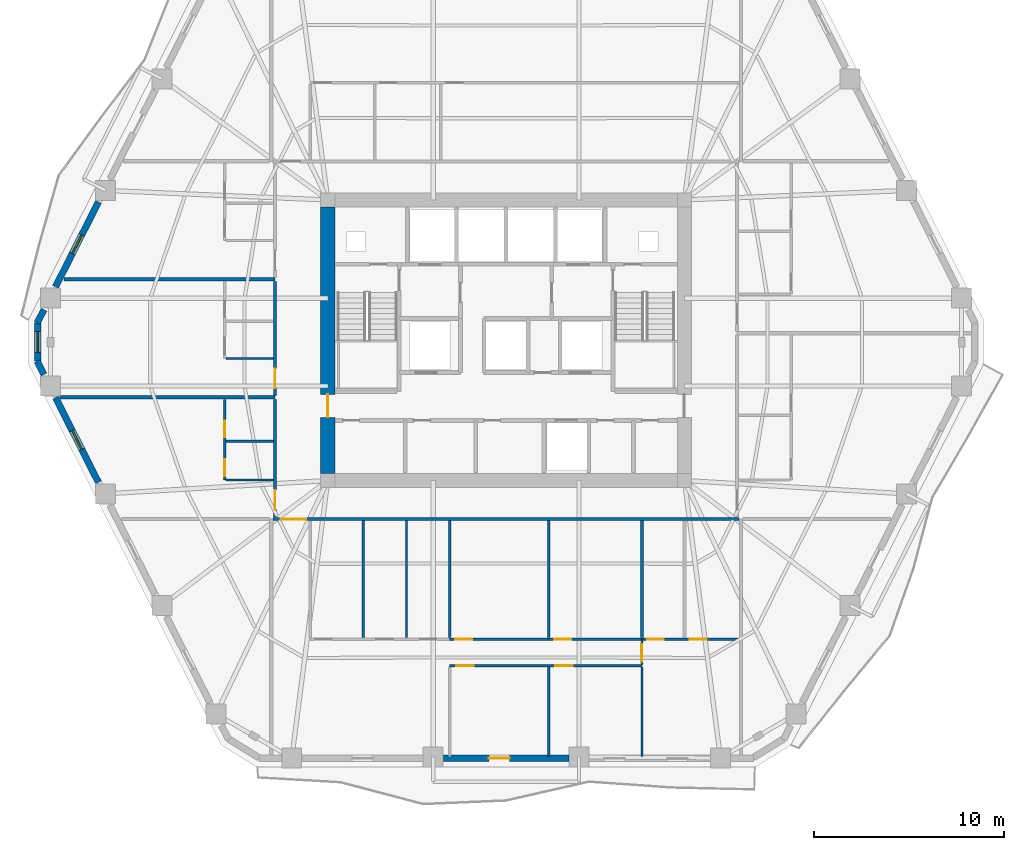
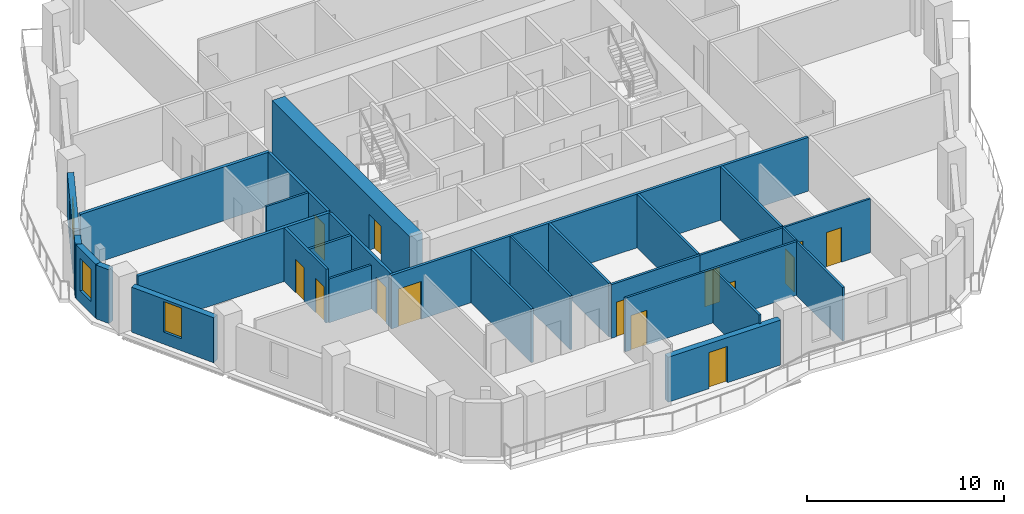
# One storey, part 4 of 10: 27 walls, 14 doors, 3 windows, 17 openings.
"""IFC4 building model written with IfcOpenShell, lengths in metres."""

import ifcopenshell
import ifcopenshell.guid

model = None  # the IFC model being written
_history = None  # IfcOwnerHistory: only IFC2X3 demands one
_inside = {}  # id of a spatial element -> (the spatial element, [elements in it])
_under = {}  # id of a project, library or spatial element -> (it, [spatial elements below it])
_declared = {}  # id of a project -> (the project, [libraries it declares])
_typed = {}  # id of a type object -> (the type object, [elements of that type])
_made_of = {}  # id of a material, layer set ... -> (it, [elements and type objects made of it])


def new_model(schema):
    """Start an empty IFC model of exactly this schema.

    Asked for "IFC4X3", IfcOpenShell would pick the latest addendum, in which some entities
    have other attributes; the version numbers below select the first issue.
    IFC2X3 requires an IfcOwnerHistory on every rooted entity: one is made here for all.
    """
    global model, _history
    if schema == "IFC4X3":
        model = ifcopenshell.file(schema_version=(4, 3, 0, 0))
    else:
        model = ifcopenshell.file(schema=schema)
    _inside.clear()
    _under.clear()
    _declared.clear()
    _typed.clear()
    _made_of.clear()
    _history = None
    if model.schema == "IFC2X3":
        org = make("IfcOrganization", Name="unknown")
        user = make(
            "IfcPersonAndOrganization",
            ThePerson=make("IfcPerson", FamilyName="unknown"),
            TheOrganization=org,
        )
        app = make(
            "IfcApplication",
            ApplicationDeveloper=org,
            Version="unknown",
            ApplicationFullName="unknown",
            ApplicationIdentifier="unknown",
        )
        _history = make(
            "IfcOwnerHistory",
            OwningUser=user,
            OwningApplication=app,
            ChangeAction="ADDED",
            CreationDate=0,
        )
    return model


def make(cls, **values):
    """One entity of the class cls with the attributes given. An attribute that is None is left unset."""
    return model.create_entity(
        cls, **{name: value for name, value in values.items() if value is not None}
    )


def rooted(cls, **values):
    """An entity with a GlobalId (a new one), such as an element, a storey or a relation."""
    return make(cls, GlobalId=ifcopenshell.guid.new(), OwnerHistory=_history, **values)


def si_unit(unit_type, name, prefix=None):
    """IfcSIUnit, for example si_unit("LENGTHUNIT", "METRE", prefix="MILLI")."""
    return make("IfcSIUnit", UnitType=unit_type, Prefix=prefix, Name=name)


def assignment(units):
    """IfcUnitAssignment: the units of a project."""
    return None if units is None else make("IfcUnitAssignment", Units=units)


def point(xyz):
    """IfcCartesianPoint."""
    return None if xyz is None else make("IfcCartesianPoint", Coordinates=xyz)


def direction(xyz):
    """IfcDirection."""
    return None if xyz is None else make("IfcDirection", DirectionRatios=xyz)


def frame(location, z_axis=None, x_axis=None):
    """IfcAxis2Placement3D, a coordinate frame: its origin and axes. An axis left out is left unset."""
    return make(
        "IfcAxis2Placement3D",
        Location=point(location),
        Axis=direction(z_axis),
        RefDirection=direction(x_axis),
    )


def frame_2d(location, x_axis=None):
    """IfcAxis2Placement2D, a coordinate frame in the plane: its origin and x axis."""
    return make(
        "IfcAxis2Placement2D", Location=point(location), RefDirection=direction(x_axis)
    )


def origin():
    """The frame at (0, 0, 0) with its axes left unset."""
    return frame((0.0, 0.0, 0.0))


def place(relative_to, where):
    """IfcLocalPlacement: puts the frame where relative to a parent placement (None: the world)."""
    return make(
        "IfcLocalPlacement", PlacementRelTo=relative_to, RelativePlacement=where
    )


def context(
    kind, dimensions, precision=None, world=None, true_north=None, identifier=None
):
    """IfcGeometricRepresentationContext, for example the 3D "Model" context."""
    return make(
        "IfcGeometricRepresentationContext",
        ContextIdentifier=identifier,
        ContextType=kind,
        CoordinateSpaceDimension=dimensions,
        Precision=precision,
        WorldCoordinateSystem=world,
        TrueNorth=true_north,
    )


def subcontext(parent, identifier, kind, view, scale=None):
    """IfcGeometricRepresentationSubContext, for example "Body" below "Model"."""
    return make(
        "IfcGeometricRepresentationSubContext",
        ContextIdentifier=identifier,
        ContextType=kind,
        ParentContext=parent,
        TargetScale=scale,
        TargetView=view,
    )


def project(units=None, contexts=None):
    """IfcProject with its units and contexts."""
    return rooted(
        "IfcProject",
        Name="project",
        RepresentationContexts=contexts,
        UnitsInContext=assignment(units),
    )


def spatial(cls, under=None, at=None, **own):
    """A site, building, storey or space (cls), placed at a placement, below another one or the project."""
    s = rooted(cls, ObjectPlacement=at, **own)
    if under is not None:
        _under.setdefault(under.id(), (under, []))[1].append(s)
    return s


def profile(cls, at=None, kind="AREA", **sizes):
    """A parametric profile (cls). Its sizes go by their IFC names, for example OverallWidth=200.0."""
    return make(cls, ProfileType=kind, Position=at, **sizes)


def rectangle(**sizes):
    """IfcRectangleProfileDef."""
    return profile("IfcRectangleProfileDef", **sizes)


def extrude(swept, where, along, depth):
    """IfcExtrudedAreaSolid: the profile swept, set in the frame where, extruded along a direction by depth."""
    return make(
        "IfcExtrudedAreaSolid",
        SweptArea=swept,
        Position=where,
        ExtrudedDirection=direction(along),
        Depth=depth,
    )


def shape(context_of_items, identifier, shape_type, items):
    """IfcShapeRepresentation: the items that make up one representation, for example the "Body"."""
    return make(
        "IfcShapeRepresentation",
        ContextOfItems=context_of_items,
        RepresentationIdentifier=identifier,
        RepresentationType=shape_type,
        Items=items,
    )


def material(Name=None, Category=None):
    """IfcMaterial."""
    return make("IfcMaterial", Name=Name, Category=Category)


def layer(
    of_material, thickness, ventilated=None, Name=None, Category=None, Priority=None
):
    """IfcMaterialLayer: one layer of a wall or slab, of a material (None: an air gap)."""
    return make(
        "IfcMaterialLayer",
        Material=of_material,
        LayerThickness=thickness,
        IsVentilated=ventilated,
        Name=Name,
        Category=Category,
        Priority=Priority,
    )


def layer_set(layers, Name=None):
    """IfcMaterialLayerSet."""
    return make("IfcMaterialLayerSet", MaterialLayers=layers, LayerSetName=Name)


def made_of(thing, what):
    """Note that an element or type object is made of a material, layer set ...; save() writes the relation."""
    if what is not None:
        _made_of.setdefault(what.id(), (what, []))[1].append(thing)
    return thing


def type_object(cls, material=None, **own):
    """A type object (cls), such as IfcWallType, which elements share."""
    return made_of(rooted(cls, **own), material)


def element(
    cls,
    number,
    at=None,
    inside=None,
    cuts=None,
    type_object=None,
    material=None,
    context=None,
    identifier="Body",
    shape_type=None,
    held_by="IfcProductDefinitionShape",
    body=None,
    shapes=None,
    **own,
):
    """One element of the class cls, such as IfcWall. Its Tag is "e" and its number.

    at: its placement. inside: the storey or other place that contains it. cuts: it is an
    opening in that element (IfcRelVoidsElement). A single representation is given by context,
    identifier, shape_type and body (its items); several are given by shapes. held_by: the class
    of the entity that holds the representations. save() writes the other relations.
    """
    e = rooted(cls, Tag="e%d" % number, ObjectPlacement=at, **own)
    if body is not None:
        shapes = [shape(context, identifier, shape_type, body)]
    if shapes is not None:
        e.Representation = make(held_by, Representations=shapes)
    if inside is not None:
        _inside.setdefault(inside.id(), (inside, []))[1].append(e)
    if cuts is not None:
        rooted(
            "IfcRelVoidsElement", RelatingBuildingElement=cuts, RelatedOpeningElement=e
        )
    if type_object is not None:
        _typed.setdefault(type_object.id(), (type_object, []))[1].append(e)
    return made_of(e, material)


def fill(opening, filler):
    """IfcRelFillsElement: the door or window that sits in an opening."""
    return rooted(
        "IfcRelFillsElement",
        RelatingOpeningElement=opening,
        RelatedBuildingElement=filler,
    )


def aggregate(whole, parts):
    """IfcRelAggregates: a whole, such as a stair, and the parts it consists of."""
    return rooted("IfcRelAggregates", RelatingObject=whole, RelatedObjects=parts)


def save(model, path):
    """Write the relations noted so far, then the file.

    IfcRelAggregates (storeys below a building ...), IfcRelContainedInSpatialStructure (elements
    in a storey), IfcRelDefinesByType, IfcRelAssociatesMaterial and IfcRelDeclares: one each for
    every whole, place, type object, material and project.
    """
    for whole, parts in _under.values():
        aggregate(whole, parts)
    for where, things in _inside.values():
        rooted(
            "IfcRelContainedInSpatialStructure",
            RelatedElements=things,
            RelatingStructure=where,
        )
    for kind, things in _typed.values():
        rooted("IfcRelDefinesByType", RelatedObjects=things, RelatingType=kind)
    for what, things in _made_of.values():
        rooted("IfcRelAssociatesMaterial", RelatedObjects=things, RelatingMaterial=what)
    for by, libraries in _declared.values():
        rooted("IfcRelDeclares", RelatingContext=by, RelatedDefinitions=libraries)
    model.write(path)


model = new_model("IFC4")

# Units and contexts
model_context = context("Model", 3, precision=1e-05, world=origin(), true_north=direction((0.0, 1.0)))
body_context = subcontext(model_context, "Body", "Model", "MODEL_VIEW")
ifc_project = project(units=[si_unit("LENGTHUNIT", "METRE"), si_unit("AREAUNIT", "SQUARE_METRE"), si_unit("VOLUMEUNIT", "CUBIC_METRE"), si_unit("PLANEANGLEUNIT", "RADIAN"), si_unit("MASSUNIT", "GRAM", prefix="KILO")], contexts=[model_context])

# Site, building, storey
site_placement = place(None, origin())
site = spatial("IfcSite", under=ifc_project, at=site_placement, CompositionType="ELEMENT")
building_placement = place(site_placement, origin())
building = spatial("IfcBuilding", under=site, at=building_placement, Name="Cinnabar Lancet Tower", CompositionType="ELEMENT")
storey_placement = place(building_placement, frame((0.0, 0.0, 119.699951171875)))
storey = spatial("IfcBuildingStorey", under=building, at=storey_placement, Name="L31", CompositionType="ELEMENT", Elevation=119.699951171875)

# Wall, opening, door
ifc_material_1 = material(Name="Acoustic twin-stud gypsum partition", Category="gypsum")
ifc_layer_1 = layer(ifc_material_1, 0.159912109375)
ifc_layer_set_1 = layer_set([ifc_layer_1], Name="Acoustic twin-stud gypsum partition")
wall_type_1 = type_object("IfcWallType", Name="ARC-WL-CORR-160", PredefinedType="PARTITIONING", material=ifc_layer_set_1)
wall_1_placement = place(storey_placement, frame((20.14501953125, 16.5, 0.0), z_axis=(0.0, 0.0, 1.0), x_axis=(1.0, 0.0, 0.0)))
wall_1 = element("IfcWall", 1, at=wall_1_placement, inside=storey, type_object=wall_type_1, Name="L31 Unit S01 Corridor Wall", PredefinedType="PARTITIONING", context=body_context, shape_type="SweptSolid", body=[
    extrude(rectangle(XDim=24.510009765625, YDim=0.159912109375, at=frame_2d((12.2548828125, 0.0))), origin(), (0.0, 0.0, 1.0), 3.340087890625),
])
opening_1_placement = place(wall_1_placement, frame((0.405029296875, 0.0, 0.0)))
opening_1 = element("IfcOpeningElement", 2, at=opening_1_placement, cuts=wall_1, Name="Opening UD-02", PredefinedType="OPENING", context=body_context, shape_type="SweptSolid", body=[
    extrude(rectangle(XDim=1.35009765625, YDim=2.35009765625, at=frame_2d((0.675048828125, 1.175048828125))), frame((0.0, 0.08984375, 0.0), z_axis=(0.0, -1.0, 0.0), x_axis=(1.0, 0.0, 0.0)), (0.0, 0.0, 1.0), 0.179931640625),
])
ifc_material_2 = material(Name="Double-leaf solid timber penthouse entrance door", Category="wood")
door_type_1 = type_object("IfcDoorType", Name="ARC-DR-UNIT-PH", OperationType="NOTDEFINED", PredefinedType="DOOR", material=ifc_material_2)
door_1_placement = place(opening_1_placement, origin())
door_1 = element("IfcDoor", 3, at=door_1_placement, inside=storey, type_object=door_type_1, Name="DR-L31-S01-ENT", OperationType="SINGLE_SWING_LEFT", OverallHeight=2.35009765625, OverallWidth=1.35009765625, PredefinedType="DOOR", context=body_context, shape_type="SweptSolid", body=[
    extrude(rectangle(XDim=1.35009765625, YDim=2.35009765625, at=frame_2d((0.675048828125, 1.175048828125))), frame((0.0, 0.02490234375, 0.0), z_axis=(0.0, -1.0, 0.0), x_axis=(1.0, 0.0, 0.0)), (0.0, 0.0, 1.0), 0.050048828125),
])
fill(opening_1, door_1)

wall_2_placement = place(storey_placement, frame((20.25, 16.594970703125, 0.0), z_axis=(0.0, 0.0, 1.0), x_axis=(0.0, 1.0, 0.0)))
wall_2 = element("IfcWall", 4, at=wall_2_placement, inside=storey, type_object=wall_type_1, Name="UW-L31-W01-COR", PredefinedType="PARTITIONING", context=body_context, shape_type="SweptSolid", body=[
    extrude(rectangle(XDim=6.2021484375, YDim=0.159912109375, at=frame_2d((3.10107421875, 0.0))), origin(), (0.0, 0.0, 1.0), 3.340087890625),
])
opening_2_placement = place(wall_2_placement, frame((0.39990234375, 0.0, 0.0)))
opening_2 = element("IfcOpeningElement", 5, at=opening_2_placement, cuts=wall_2, Name="Opening UD-01", PredefinedType="OPENING", context=body_context, shape_type="SweptSolid", body=[
    extrude(rectangle(XDim=1.02001953125, YDim=2.25, at=frame_2d((0.510009765625, 1.125))), frame((0.0, 0.08984375, 0.0), z_axis=(0.0, -1.0, 0.0), x_axis=(1.0, 0.0, 0.0)), (0.0, 0.0, 1.0), 0.179931640625),
])
ifc_material_3 = material(Name="Solid timber fire-rated apartment entrance door", Category="wood")
door_type_2 = type_object("IfcDoorType", Name="ARC-DR-UNIT", OperationType="NOTDEFINED", PredefinedType="DOOR", material=ifc_material_3)
door_2_placement = place(opening_2_placement, origin())
door_2 = element("IfcDoor", 6, at=door_2_placement, inside=storey, type_object=door_type_2, Name="DR-L31-W01-ENT", OperationType="SINGLE_SWING_LEFT", OverallHeight=2.25, OverallWidth=1.02001953125, PredefinedType="DOOR", context=body_context, shape_type="SweptSolid", body=[
    extrude(rectangle(XDim=1.02001953125, YDim=2.25, at=frame_2d((0.510009765625, 1.125))), frame((0.0, 0.02490234375, 0.0), z_axis=(0.0, -1.0, 0.0), x_axis=(1.0, 0.0, 0.0)), (0.0, 0.0, 1.0), 0.050048828125),
])
fill(opening_2, door_2)

wall_3_placement = place(storey_placement, frame((20.25, 22.987060546875, 0.0), z_axis=(0.0, 0.0, 1.0), x_axis=(0.0, 1.0, 0.0)))
wall_3 = element("IfcWall", 7, at=wall_3_placement, inside=storey, type_object=wall_type_1, Name="UW-L31-W02-COR", PredefinedType="PARTITIONING", context=body_context, shape_type="SweptSolid", body=[
    extrude(rectangle(XDim=6.013916015625, YDim=0.159912109375, at=frame_2d((3.0068359375, 0.0))), origin(), (0.0, 0.0, 1.0), 3.340087890625),
])
opening_3_placement = place(wall_3_placement, frame((0.39990234375, 0.0, 0.0)))
opening_3 = element("IfcOpeningElement", 8, at=opening_3_placement, cuts=wall_3, Name="Opening UD-01", PredefinedType="OPENING", context=body_context, shape_type="SweptSolid", body=[
    extrude(rectangle(XDim=1.02001953125, YDim=2.25, at=frame_2d((0.510009765625, 1.125))), frame((0.0, 0.08984375, 0.0), z_axis=(0.0, -1.0, 0.0), x_axis=(1.0, 0.0, 0.0)), (0.0, 0.0, 1.0), 0.179931640625),
])
door_3_placement = place(opening_3_placement, origin())
door_3 = element("IfcDoor", 9, at=door_3_placement, inside=storey, type_object=door_type_2, Name="DR-L31-W02-ENT", OperationType="SINGLE_SWING_RIGHT", OverallHeight=2.25, OverallWidth=1.02001953125, PredefinedType="DOOR", context=body_context, shape_type="SweptSolid", body=[
    extrude(rectangle(XDim=1.02001953125, YDim=2.25, at=frame_2d((0.510009765625, 1.125))), frame((0.0, 0.02490234375, 0.0), z_axis=(0.0, -1.0, 0.0), x_axis=(1.0, 0.0, 0.0)), (0.0, 0.0, 1.0), 0.050048828125),
])
fill(opening_3, door_3)

# Walls
ifc_material_4 = material(Name="Fire-rated twin-frame acoustic drywall", Category="gypsum")
ifc_layer_2 = layer(ifc_material_4, 0.179931640625)
ifc_layer_set_2 = layer_set([ifc_layer_2], Name="Fire-rated twin-frame acoustic drywall")
wall_type_2 = type_object("IfcWallType", Name="ARC-WL-PARTY-180", PredefinedType="PARTITIONING", material=ifc_layer_set_2)
wall_4_placement = place(storey_placement, frame((8.950927734375, 22.89208984375, 0.0), z_axis=(0.0, 0.0, 1.0), x_axis=(1.0, 0.0, 0.0)))
element("IfcWall", 10, at=wall_4_placement, inside=storey, type_object=wall_type_2, Name="PW-L31-WPTY-1", PredefinedType="PARTITIONING", context=body_context, shape_type="SweptSolid", body=[
    extrude(rectangle(XDim=11.299072265625, YDim=0.179931640625, at=frame_2d((5.6494140625, 0.0))), origin(), (0.0, 0.0, 1.0), 3.340087890625),
])
wall_5_placement = place(storey_placement, frame((9.14697265625, 29.095947265625, 0.0), z_axis=(0.0, 0.0, 1.0), x_axis=(1.0, 0.0, 0.0)))
element("IfcWall", 11, at=wall_5_placement, inside=storey, type_object=wall_type_2, Name="PW-L31-WPTY-2", PredefinedType="PARTITIONING", context=body_context, shape_type="SweptSolid", body=[
    extrude(rectangle(XDim=11.10302734375, YDim=0.179931640625, at=frame_2d((5.551513671875, 0.0))), origin(), (0.0, 0.0, 1.0), 3.340087890625),
])

# Wall, openings, doors
ifc_material_5 = material(Name="Gypsum plasterboard stud partition", Category="gypsum")
ifc_layer_3 = layer(ifc_material_5, 0.125)
ifc_layer_set_3 = layer_set([ifc_layer_3], Name="Gypsum plasterboard stud partition")
wall_type_3 = type_object("IfcWallType", Name="ARC-WL-UNIT-125", PredefinedType="PARTITIONING", material=ifc_layer_set_3)
wall_6_placement = place(storey_placement, frame((34.64306640625, 10.178955078125, 0.0), z_axis=(0.0, 0.0, 1.0), x_axis=(1.0, 0.0, 0.0)))
wall_6 = element("IfcWall", 12, at=wall_6_placement, inside=storey, type_object=wall_type_3, Name="UW-L31-S01-SP2", PredefinedType="PARTITIONING", context=body_context, shape_type="SweptSolid", body=[
    extrude(rectangle(XDim=10.011962890625, YDim=0.125, at=frame_2d((5.005859375, 0.0))), origin(), (0.0, 0.0, 1.0), 3.340087890625),
])
opening_4_placement = place(wall_6_placement, frame((5.179931640625, 0.0, 0.0)))
opening_4 = element("IfcOpeningElement", 13, at=opening_4_placement, cuts=wall_6, Name="Opening BD-01", PredefinedType="OPENING", context=body_context, shape_type="SweptSolid", body=[
    extrude(rectangle(XDim=0.860107421875, YDim=2.10009765625, at=frame_2d((0.43017578125, 1.050048828125))), frame((0.0, 0.072509765625, 0.0), z_axis=(0.0, -1.0, 0.0), x_axis=(1.0, 0.0, 0.0)), (0.0, 0.0, 1.0), 0.14501953125),
])
opening_5_placement = place(wall_6_placement, frame((7.419921875, 0.0, 0.0)))
opening_5 = element("IfcOpeningElement", 14, at=opening_5_placement, cuts=wall_6, Name="Opening RD-02", PredefinedType="OPENING", context=body_context, shape_type="SweptSolid", body=[
    extrude(rectangle(XDim=0.8798828125, YDim=2.14990234375, at=frame_2d((0.43994140625, 1.074951171875))), frame((0.0, 0.072509765625, 0.0), z_axis=(0.0, -1.0, 0.0), x_axis=(1.0, 0.0, 0.0)), (0.0, 0.0, 1.0), 0.14501953125),
])
opening_6_placement = place(wall_6_placement, frame((0.300048828125, 0.0, 0.0)))
opening_6 = element("IfcOpeningElement", 15, at=opening_6_placement, cuts=wall_6, Name="Opening RD-02", PredefinedType="OPENING", context=body_context, shape_type="SweptSolid", body=[
    extrude(rectangle(XDim=0.8798828125, YDim=2.14990234375, at=frame_2d((0.43994140625, 1.074951171875))), frame((0.0, 0.072509765625, 0.0), z_axis=(0.0, -1.0, 0.0), x_axis=(1.0, 0.0, 0.0)), (0.0, 0.0, 1.0), 0.14501953125),
])
ifc_material_6 = material(Name="Moisture-resistant timber bathroom door", Category="wood")
door_type_3 = type_object("IfcDoorType", Name="ARC-DR-BATH", OperationType="NOTDEFINED", PredefinedType="DOOR", material=ifc_material_6)
door_4_placement = place(opening_4_placement, origin())
door_4 = element("IfcDoor", 16, at=door_4_placement, inside=storey, type_object=door_type_3, Name="DR-L31-S01-ENS", OperationType="SINGLE_SWING_RIGHT", OverallHeight=2.10009765625, OverallWidth=0.860107421875, PredefinedType="DOOR", context=body_context, shape_type="SweptSolid", body=[
    extrude(rectangle(XDim=0.860107421875, YDim=2.10009765625, at=frame_2d((0.43017578125, 1.050048828125))), frame((0.0, 0.02490234375, 0.0), z_axis=(0.0, -1.0, 0.0), x_axis=(1.0, 0.0, 0.0)), (0.0, 0.0, 1.0), 0.050048828125),
])
fill(opening_4, door_4)
ifc_material_7 = material(Name="Engineered timber study door", Category="wood")
door_type_4 = type_object("IfcDoorType", Name="ARC-DR-STUDY", OperationType="NOTDEFINED", PredefinedType="DOOR", material=ifc_material_7)
door_5_placement = place(opening_5_placement, origin())
door_5 = element("IfcDoor", 17, at=door_5_placement, inside=storey, type_object=door_type_4, Name="DR-L31-S01-ENS-WDR", OperationType="SINGLE_SWING_LEFT", OverallHeight=2.14990234375, OverallWidth=0.8798828125, PredefinedType="DOOR", context=body_context, shape_type="SweptSolid", body=[
    extrude(rectangle(XDim=0.8798828125, YDim=2.14990234375, at=frame_2d((0.43994140625, 1.074951171875))), frame((0.0, 0.02490234375, 0.0), z_axis=(0.0, -1.0, 0.0), x_axis=(1.0, 0.0, 0.0)), (0.0, 0.0, 1.0), 0.050048828125),
])
fill(opening_5, door_5)
door_6_placement = place(opening_6_placement, origin())
door_6 = element("IfcDoor", 18, at=door_6_placement, inside=storey, type_object=door_type_4, Name="DR-L31-S01-DRS", OperationType="SINGLE_SWING_LEFT", OverallHeight=2.14990234375, OverallWidth=0.8798828125, PredefinedType="DOOR", context=body_context, shape_type="SweptSolid", body=[
    extrude(rectangle(XDim=0.8798828125, YDim=2.14990234375, at=frame_2d((0.43994140625, 1.074951171875))), frame((0.0, 0.02490234375, 0.0), z_axis=(0.0, -1.0, 0.0), x_axis=(1.0, 0.0, 0.0)), (0.0, 0.0, 1.0), 0.050048828125),
])
fill(opening_6, door_6)

# Wall
wall_7_placement = place(storey_placement, frame((27.162109375, 10.283935546875, 0.0), z_axis=(0.0, 0.0, 1.0), x_axis=(0.0, 1.0, 0.0)))
element("IfcWall", 19, at=wall_7_placement, inside=storey, type_object=wall_type_3, Name="UW-L31-S01-STD", PredefinedType="PARTITIONING", context=body_context, shape_type="SweptSolid", body=[
    extrude(rectangle(XDim=6.131103515625, YDim=0.125, at=frame_2d((3.0654296875, 0.0))), origin(), (0.0, 0.0, 1.0), 3.340087890625),
])

# Wall, openings, doors
wall_8_placement = place(storey_placement, frame((29.43603515625, 8.779052734375, 0.0), z_axis=(0.0, 0.0, 1.0), x_axis=(1.0, 0.0, 0.0)))
wall_8 = element("IfcWall", 20, at=wall_8_placement, inside=storey, type_object=wall_type_3, Name="UW-L31-S01-HLN", PredefinedType="PARTITIONING", context=body_context, shape_type="SweptSolid", body=[
    extrude(rectangle(XDim=10.10693359375, YDim=0.125, at=frame_2d((5.053466796875, 0.0))), origin(), (0.0, 0.0, 1.0), 3.340087890625),
])
opening_7_placement = place(wall_8_placement, frame((0.35009765625, 0.0, 0.0)))
opening_7 = element("IfcOpeningElement", 21, at=opening_7_placement, cuts=wall_8, Name="Opening RD-01", PredefinedType="OPENING", context=body_context, shape_type="SweptSolid", body=[
    extrude(rectangle(XDim=0.919921875, YDim=2.14990234375, at=frame_2d((0.4599609375, 1.074951171875))), frame((0.0, 0.072509765625, 0.0), z_axis=(0.0, -1.0, 0.0), x_axis=(1.0, 0.0, 0.0)), (0.0, 0.0, 1.0), 0.14501953125),
])
opening_8_placement = place(wall_8_placement, frame((5.556884765625, 0.0, 0.0)))
opening_8 = element("IfcOpeningElement", 22, at=opening_8_placement, cuts=wall_8, Name="Opening RD-01", PredefinedType="OPENING", context=body_context, shape_type="SweptSolid", body=[
    extrude(rectangle(XDim=0.919921875, YDim=2.14990234375, at=frame_2d((0.4599609375, 1.074951171875))), frame((0.0, 0.072509765625, 0.0), z_axis=(0.0, -1.0, 0.0), x_axis=(1.0, 0.0, 0.0)), (0.0, 0.0, 1.0), 0.14501953125),
])
ifc_material_8 = material(Name="Engineered timber bedroom door", Category="wood")
door_type_5 = type_object("IfcDoorType", Name="ARC-DR-ROOM", OperationType="NOTDEFINED", PredefinedType="DOOR", material=ifc_material_8)
door_7_placement = place(opening_7_placement, origin())
door_7 = element("IfcDoor", 23, at=door_7_placement, inside=storey, type_object=door_type_5, Name="DR-L31-S01-BD2", OperationType="SINGLE_SWING_RIGHT", OverallHeight=2.14990234375, OverallWidth=0.919921875, PredefinedType="DOOR", context=body_context, shape_type="SweptSolid", body=[
    extrude(rectangle(XDim=0.919921875, YDim=2.14990234375, at=frame_2d((0.4599609375, 1.074951171875))), frame((0.0, 0.02490234375, 0.0), z_axis=(0.0, -1.0, 0.0), x_axis=(1.0, 0.0, 0.0)), (0.0, 0.0, 1.0), 0.050048828125),
])
fill(opening_7, door_7)
door_8_placement = place(opening_8_placement, origin())
door_8 = element("IfcDoor", 24, at=door_8_placement, inside=storey, type_object=door_type_5, Name="DR-L31-S01-BD3", OperationType="SINGLE_SWING_LEFT", OverallHeight=2.14990234375, OverallWidth=0.919921875, PredefinedType="DOOR", context=body_context, shape_type="SweptSolid", body=[
    extrude(rectangle(XDim=0.919921875, YDim=2.14990234375, at=frame_2d((0.4599609375, 1.074951171875))), frame((0.0, 0.02490234375, 0.0), z_axis=(0.0, -1.0, 0.0), x_axis=(1.0, 0.0, 0.0)), (0.0, 0.0, 1.0), 0.050048828125),
])
fill(opening_8, door_8)

# Wall, opening, door
wall_9_placement = place(storey_placement, frame((39.54296875, 8.84912109375, 0.0), z_axis=(0.0, 0.0, 1.0), x_axis=(0.0, 1.0, 0.0)))
wall_9 = element("IfcWall", 25, at=wall_9_placement, inside=storey, type_object=wall_type_3, Name="UW-L31-S01-MBE", PredefinedType="PARTITIONING", context=body_context, shape_type="SweptSolid", body=[
    extrude(rectangle(XDim=1.329833984375, YDim=0.125, at=frame_2d((0.6650390625, 0.0))), origin(), (0.0, 0.0, 1.0), 3.340087890625),
])
opening_9_placement = place(wall_9_placement, frame((0.159912109375, 0.0, 0.0)))
opening_9 = element("IfcOpeningElement", 26, at=opening_9_placement, cuts=wall_9, Name="Opening RD-01", PredefinedType="OPENING", context=body_context, shape_type="SweptSolid", body=[
    extrude(rectangle(XDim=0.919921875, YDim=2.14990234375, at=frame_2d((0.4599609375, 1.074951171875))), frame((0.0, 0.072509765625, 0.0), z_axis=(0.0, -1.0, 0.0), x_axis=(1.0, 0.0, 0.0)), (0.0, 0.0, 1.0), 0.14501953125),
])
door_9_placement = place(opening_9_placement, origin())
door_9 = element("IfcDoor", 27, at=door_9_placement, inside=storey, type_object=door_type_5, Name="DR-L31-S01-MBD", OperationType="SINGLE_SWING_RIGHT", OverallHeight=2.14990234375, OverallWidth=0.919921875, PredefinedType="DOOR", context=body_context, shape_type="SweptSolid", body=[
    extrude(rectangle(XDim=0.919921875, YDim=2.14990234375, at=frame_2d((0.4599609375, 1.074951171875))), frame((0.0, 0.02490234375, 0.0), z_axis=(0.0, -1.0, 0.0), x_axis=(1.0, 0.0, 0.0)), (0.0, 0.0, 1.0), 0.050048828125),
])
fill(opening_9, door_9)

# Walls
for number, where, z_axis, x_axis, name in (
    (28, (34.64306640625, 4.014892578125, 0.0), (0.0, 0.0, 1.0), (0.0, 1.0, 0.0), "UW-L31-S01-MB2W"),
    (29, (39.54296875, 4.014892578125, 0.0), (0.0, 0.0, 1.0), (0.0, 1.0, 0.0), "UW-L31-S01-B23W"),
):
    element("IfcWall", number, at=place(storey_placement, frame(where, z_axis=z_axis, x_axis=x_axis)), inside=storey, type_object=wall_type_3, Name=name, PredefinedType="PARTITIONING", context=body_context, shape_type="SweptSolid", body=[
        extrude(rectangle(XDim=4.69921875, YDim=0.125, at=frame_2d((2.349609375, 0.0))), origin(), (0.0, 0.0, 1.0), 3.340087890625),
    ])
wall_10_placement = place(storey_placement, frame((17.68505859375, 18.550048828125, 0.0), z_axis=(0.0, 0.0, 1.0), x_axis=(1.0, 0.0, 0.0)))
element("IfcWall", 30, at=wall_10_placement, inside=storey, type_object=wall_type_3, Name="UW-L31-W01-FOYN", PredefinedType="PARTITIONING", context=body_context, shape_type="SweptSolid", body=[
    extrude(rectangle(XDim=2.47998046875, YDim=0.125, at=frame_2d((1.239990234375, 0.0))), origin(), (0.0, 0.0, 1.0), 2.72216796875),
])
wall_11_placement = place(storey_placement, frame((17.68505859375, 24.94189453125, 0.0), z_axis=(0.0, 0.0, 1.0), x_axis=(1.0, 0.0, 0.0)))
element("IfcWall", 31, at=wall_11_placement, inside=storey, type_object=wall_type_3, Name="UW-L31-W02-FOYN", PredefinedType="PARTITIONING", context=body_context, shape_type="SweptSolid", body=[
    extrude(rectangle(XDim=2.47998046875, YDim=0.125, at=frame_2d((1.239990234375, 0.0))), origin(), (0.0, 0.0, 1.0), 3.340087890625),
])

# Wall, opening, door
ifc_material_9 = material(Name="Moisture-resistant cement-board plumbing wall", Category="masonry")
ifc_layer_4 = layer(ifc_material_9, 0.139892578125)
ifc_layer_set_4 = layer_set([ifc_layer_4], Name="Moisture-resistant cement-board plumbing wall")
wall_type_4 = type_object("IfcWallType", Name="ARC-WL-WET-140", PredefinedType="PLUMBINGWALL", material=ifc_layer_set_4)
wall_12_placement = place(storey_placement, frame((29.43603515625, 10.178955078125, 0.0), z_axis=(0.0, 0.0, 1.0), x_axis=(1.0, 0.0, 0.0)))
wall_12 = element("IfcWall", 32, at=wall_12_placement, inside=storey, type_object=wall_type_4, Name="UW-L31-S01-SPM", PredefinedType="PLUMBINGWALL", context=body_context, shape_type="SweptSolid", body=[
    extrude(rectangle(XDim=5.20703125, YDim=0.139892578125, at=frame_2d((2.603515625, 0.0))), origin(), (0.0, 0.0, 1.0), 3.340087890625),
])
opening_10_placement = place(wall_12_placement, frame((0.300048828125, 0.0, 0.0)))
opening_10 = element("IfcOpeningElement", 33, at=opening_10_placement, cuts=wall_12, Name="Opening RD-02", PredefinedType="OPENING", context=body_context, shape_type="SweptSolid", body=[
    extrude(rectangle(XDim=0.8798828125, YDim=2.14990234375, at=frame_2d((0.43994140625, 1.074951171875))), frame((0.0, 0.079833984375, 0.0), z_axis=(0.0, -1.0, 0.0), x_axis=(1.0, 0.0, 0.0)), (0.0, 0.0, 1.0), 0.159912109375),
])
door_10_placement = place(opening_10_placement, origin())
door_10 = element("IfcDoor", 34, at=door_10_placement, inside=storey, type_object=door_type_4, Name="DR-L31-S01-UTL", OperationType="SINGLE_SWING_LEFT", OverallHeight=2.14990234375, OverallWidth=0.8798828125, PredefinedType="DOOR", context=body_context, shape_type="SweptSolid", body=[
    extrude(rectangle(XDim=0.8798828125, YDim=2.14990234375, at=frame_2d((0.43994140625, 1.074951171875))), frame((0.0, 0.02490234375, 0.0), z_axis=(0.0, -1.0, 0.0), x_axis=(1.0, 0.0, 0.0)), (0.0, 0.0, 1.0), 0.050048828125),
])
fill(opening_10, door_10)

# Walls
for number, where, z_axis, x_axis, name in (
    (35, (24.887939453125, 10.283935546875, 0.0), (0.0, 0.0, 1.0), (0.0, 1.0, 0.0), "UW-L31-S01-KDV"),
    (36, (29.43603515625, 10.283935546875, 0.0), (0.0, 0.0, 1.0), (0.0, 1.0, 0.0), "UW-L31-S01-ENSW"),
    (37, (34.64306640625, 10.283935546875, 0.0), (0.0, 0.0, 1.0), (0.0, 1.0, 0.0), "UW-L31-S01-ENSE"),
    (38, (39.54296875, 10.283935546875, 0.0), (0.0, 0.0, 1.0), (0.0, 1.0, 0.0), "UW-L31-S01-UT3"),
):
    element("IfcWall", number, at=place(storey_placement, frame(where, z_axis=z_axis, x_axis=x_axis)), inside=storey, type_object=wall_type_4, Name=name, PredefinedType="PLUMBINGWALL", context=body_context, shape_type="SweptSolid", body=[
        extrude(rectangle(XDim=6.131103515625, YDim=0.139892578125, at=frame_2d((3.0654296875, 0.0))), origin(), (0.0, 0.0, 1.0), 3.340087890625),
    ])

# Wall, openings, doors
wall_13_placement = place(storey_placement, frame((17.60009765625, 18.550048828125, 0.0), z_axis=(0.0, 0.0, 1.0), x_axis=(0.0, 1.0, 0.0)))
wall_13 = element("IfcWall", 39, at=wall_13_placement, inside=storey, type_object=wall_type_4, Name="UW-L31-W01-SPL", PredefinedType="PLUMBINGWALL", context=body_context, shape_type="SweptSolid", body=[
    extrude(rectangle(XDim=4.2470703125, YDim=0.139892578125, at=frame_2d((2.12353515625, 0.0))), origin(), (0.0, 0.0, 1.0), 3.340087890625),
])
opening_11_placement = place(wall_13_placement, frame((2.259033203125, 0.0, 0.0)))
opening_11 = element("IfcOpeningElement", 40, at=opening_11_placement, cuts=wall_13, Name="Opening BD-01", PredefinedType="OPENING", context=body_context, shape_type="SweptSolid", body=[
    extrude(rectangle(XDim=0.860107421875, YDim=2.10009765625, at=frame_2d((0.43017578125, 1.050048828125))), frame((0.0, 0.079833984375, 0.0), z_axis=(0.0, -1.0, 0.0), x_axis=(1.0, 0.0, 0.0)), (0.0, 0.0, 1.0), 0.159912109375),
])
opening_12_placement = place(wall_13_placement, frame((0.199951171875, 0.0, 0.0)))
opening_12 = element("IfcOpeningElement", 41, at=opening_12_placement, cuts=wall_13, Name="Opening RD-02", PredefinedType="OPENING", context=body_context, shape_type="SweptSolid", body=[
    extrude(rectangle(XDim=0.8798828125, YDim=2.14990234375, at=frame_2d((0.43994140625, 1.074951171875))), frame((0.0, 0.079833984375, 0.0), z_axis=(0.0, -1.0, 0.0), x_axis=(1.0, 0.0, 0.0)), (0.0, 0.0, 1.0), 0.159912109375),
])
door_11_placement = place(opening_11_placement, origin())
door_11 = element("IfcDoor", 42, at=door_11_placement, inside=storey, type_object=door_type_3, Name="DR-L31-W01-BTH", OperationType="SINGLE_SWING_LEFT", OverallHeight=2.10009765625, OverallWidth=0.860107421875, PredefinedType="DOOR", context=body_context, shape_type="SweptSolid", body=[
    extrude(rectangle(XDim=0.860107421875, YDim=2.10009765625, at=frame_2d((0.43017578125, 1.050048828125))), frame((0.0, 0.02490234375, 0.0), z_axis=(0.0, -1.0, 0.0), x_axis=(1.0, 0.0, 0.0)), (0.0, 0.0, 1.0), 0.050048828125),
])
fill(opening_11, door_11)
door_12_placement = place(opening_12_placement, origin())
door_12 = element("IfcDoor", 43, at=door_12_placement, inside=storey, type_object=door_type_4, Name="DR-L31-W01-KIT", OperationType="SINGLE_SWING_RIGHT", OverallHeight=2.14990234375, OverallWidth=0.8798828125, PredefinedType="DOOR", context=body_context, shape_type="SweptSolid", body=[
    extrude(rectangle(XDim=0.8798828125, YDim=2.14990234375, at=frame_2d((0.43994140625, 1.074951171875))), frame((0.0, 0.02490234375, 0.0), z_axis=(0.0, -1.0, 0.0), x_axis=(1.0, 0.0, 0.0)), (0.0, 0.0, 1.0), 0.050048828125),
])
fill(opening_12, door_12)

# Wall
wall_14_placement = place(storey_placement, frame((17.68505859375, 20.589111328125, 0.0), z_axis=(0.0, 0.0, 1.0), x_axis=(1.0, 0.0, 0.0)))
element("IfcWall", 44, at=wall_14_placement, inside=storey, type_object=wall_type_4, Name="UW-L31-W01-KDV", PredefinedType="PLUMBINGWALL", context=body_context, shape_type="SweptSolid", body=[
    extrude(rectangle(XDim=2.47998046875, YDim=0.139892578125, at=frame_2d((1.239990234375, 0.0))), origin(), (0.0, 0.0, 1.0), 3.340087890625),
])

# Wall, opening, window
ifc_material_10 = material(Name="Cinnabar red clay brick", Category="masonry")
ifc_layer_5 = layer(ifc_material_10, 0.340087890625)
ifc_layer_set_5 = layer_set([ifc_layer_5], Name="Cinnabar red clay brick")
wall_type_5 = type_object("IfcWallType", Name="ENV-WL-BRK-RED-340", PredefinedType="STANDARD", material=ifc_layer_set_5)
wall_15_placement = place(storey_placement, frame((7.76708984375, 26.797119140625, 0.0), z_axis=(0.0, 0.0, 1.0), x_axis=(0.0, -1.0, 0.0)))
wall_15 = element("IfcWall", 45, at=wall_15_placement, inside=storey, type_object=wall_type_5, Name="L31 Chamfered Corner Brick Pier 6.1", PredefinedType="STANDARD", context=body_context, shape_type="SweptSolid", body=[
    extrude(rectangle(XDim=1.994140625, YDim=0.340087890625, at=frame_2d((0.9970703125, 0.0))), origin(), (0.0, 0.0, 1.0), 3.340087890625),
])
opening_13_placement = place(wall_15_placement, frame((0.447021484375, 0.0, 0.75)))
opening_13 = element("IfcOpeningElement", 46, at=opening_13_placement, cuts=wall_15, Name="Opening WN-04", PredefinedType="OPENING", context=body_context, shape_type="SweptSolid", body=[
    extrude(rectangle(XDim=1.10009765625, YDim=2.0, at=frame_2d((0.550048828125, 1.0))), frame((0.0, 0.179931640625, 0.0), z_axis=(0.0, -1.0, 0.0), x_axis=(1.0, 0.0, 0.0)), (0.0, 0.0, 1.0), 0.360107421875),
])
ifc_material_11 = material(Name="Thermally broken bronze-anodized aluminium tall lancet window", Category="aluminium")
window_type = type_object("IfcWindowType", Name="ENV-WN-LANCET-1100", PartitioningType="SINGLE_PANEL", PredefinedType="WINDOW", material=ifc_material_11)
window_1_placement = place(opening_13_placement, origin())
window_1 = element("IfcWindow", 47, at=window_1_placement, inside=storey, type_object=window_type, Name="L31 Dwelling Gothic Lancet Window 321", OverallHeight=2.0, OverallWidth=1.10009765625, PartitioningType="SINGLE_PANEL", PredefinedType="WINDOW", context=body_context, shape_type="SweptSolid", body=[
    extrude(rectangle(XDim=1.10009765625, YDim=2.0, at=frame_2d((0.550048828125, 1.0))), frame((0.0, 0.030029296875, 0.0), z_axis=(0.0, -1.0, 0.0), x_axis=(1.0, 0.0, 0.0)), (0.0, 0.0, 1.0), 0.06005859375),
])
fill(opening_13, window_1)

# Wall, opening, door
wall_16_placement = place(storey_placement, frame((29.096923828125, 3.929931640625, 0.0), z_axis=(0.0, 0.0, 1.0), x_axis=(1.0, 0.0, 0.0)))
wall_16 = element("IfcWall", 48, at=wall_16_placement, inside=storey, type_object=wall_type_5, Name="L31 Face 1 Masonry Bay Wall 3", PredefinedType="STANDARD", context=body_context, shape_type="SweptSolid", body=[
    extrude(rectangle(XDim=6.60595703125, YDim=0.340087890625, at=frame_2d((3.302978515625, 0.0))), origin(), (0.0, 0.0, 1.0), 2.797119140625),
])
opening_14_placement = place(wall_16_placement, frame((2.39208984375, 0.0, 0.0)))
opening_14 = element("IfcOpeningElement", 49, at=opening_14_placement, cuts=wall_16, Name="Opening TD-01", PredefinedType="OPENING", context=body_context, shape_type="SweptSolid", body=[
    extrude(rectangle(XDim=1.10009765625, YDim=2.25, at=frame_2d((0.550048828125, 1.125))), frame((0.0, 0.179931640625, 0.0), z_axis=(0.0, -1.0, 0.0), x_axis=(1.0, 0.0, 0.0)), (0.0, 0.0, 1.0), 0.360107421875),
])
ifc_material_12 = material(Name="Thermally broken low-E glazed balcony terrace door", Category="wood")
door_type_6 = type_object("IfcDoorType", Name="ARC-DR-BALC", OperationType="NOTDEFINED", PredefinedType="DOOR", material=ifc_material_12)
door_13_placement = place(opening_14_placement, origin())
door_13 = element("IfcDoor", 50, at=door_13_placement, inside=storey, type_object=door_type_6, Name="L31 Face 1 Glazed Terrace Door", OperationType="SINGLE_SWING_RIGHT", OverallHeight=2.25, OverallWidth=1.10009765625, PredefinedType="DOOR", context=body_context, shape_type="SweptSolid", body=[
    extrude(rectangle(XDim=1.10009765625, YDim=2.25, at=frame_2d((0.550048828125, 1.125))), frame((0.0, 0.02490234375, 0.0), z_axis=(0.0, -1.0, 0.0), x_axis=(1.0, 0.0, 0.0)), (0.0, 0.0, 1.0), 0.050048828125),
])
fill(opening_14, door_13)

# Wall, opening, window
wall_17_placement = place(storey_placement, frame((10.968017578125, 33.172119140625, 0.0), z_axis=(0.0, 0.0, 1.0), x_axis=(-0.451470533039, -0.892286029139, 0.0)))
wall_17 = element("IfcWall", 51, at=wall_17_placement, inside=storey, type_object=wall_type_5, Name="L31 Face 5 Masonry Bay Wall 4", PredefinedType="STANDARD", context=body_context, shape_type="SweptSolid", body=[
    extrude(rectangle(XDim=4.9951171875, YDim=0.340087890625, at=frame_2d((2.49755859375, 0.0))), origin(), (0.0, 0.0, 1.0), 2.797119140625),
])
opening_15_placement = place(wall_17_placement, frame((1.947021484375, 0.0, 0.75)))
opening_15 = element("IfcOpeningElement", 52, at=opening_15_placement, cuts=wall_17, Name="Opening WN-04", PredefinedType="OPENING", context=body_context, shape_type="SweptSolid", body=[
    extrude(rectangle(XDim=1.10009765625, YDim=1.89697265625, at=frame_2d((0.550048828125, 0.948486328125))), frame((0.0, 0.179931640625, 0.0), z_axis=(0.0, -1.0, 0.0), x_axis=(1.0, 0.0, 0.0)), (0.0, 0.0, 1.0), 0.360107421875),
])
window_2_placement = place(opening_15_placement, origin())
window_2 = element("IfcWindow", 53, at=window_2_placement, inside=storey, type_object=window_type, Name="L31 Face 5 Gothic Lancet Window 4", OverallHeight=1.89697265625, OverallWidth=1.10009765625, PartitioningType="SINGLE_PANEL", PredefinedType="WINDOW", context=body_context, shape_type="SweptSolid", body=[
    extrude(rectangle(XDim=1.10009765625, YDim=1.89697265625, at=frame_2d((0.550048828125, 0.948486328125))), frame((0.0, 0.030029296875, 0.0), z_axis=(0.0, -1.0, 0.0), x_axis=(1.0, 0.0, 0.0)), (0.0, 0.0, 1.0), 0.06005859375),
])
fill(opening_15, window_2)

# Walls
for number, where, z_axis, x_axis, name in (
    (54, (8.10009765625, 27.5029296875, 0.0), (0.0, 0.0, 1.0), (-0.451819324107, -0.89210946546, 0.0), "L31 Face 5 Masonry Bay Wall 5"),
    (55, (7.74609375, 24.7958984375, 0.0), (0.0, 0.0, 1.0), (0.451819324107, -0.89210946546, 0.0), "L31 Face 6 Masonry Bay Wall 1"),
):
    element("IfcWall", number, at=place(storey_placement, frame(where, z_axis=z_axis, x_axis=x_axis)), inside=storey, type_object=wall_type_5, Name=name, PredefinedType="STANDARD", context=body_context, shape_type="SweptSolid", body=[
        extrude(rectangle(XDim=0.783447265625, YDim=0.340087890625, at=frame_2d((0.3916015625, 0.0))), origin(), (0.0, 0.0, 1.0), 3.340087890625),
    ])

# Wall, opening, window
wall_18_placement = place(storey_placement, frame((8.712890625, 22.885009765625, 0.0), z_axis=(0.0, 0.0, 1.0), x_axis=(0.451470533039, -0.892286029139, 0.0)))
wall_18 = element("IfcWall", 56, at=wall_18_placement, inside=storey, type_object=wall_type_5, Name="L31 Face 6 Masonry Bay Wall 2", PredefinedType="STANDARD", context=body_context, shape_type="SweptSolid", body=[
    extrude(rectangle(XDim=4.9951171875, YDim=0.340087890625, at=frame_2d((2.49755859375, 0.0))), origin(), (0.0, 0.0, 1.0), 2.797119140625),
])
opening_16_placement = place(wall_18_placement, frame((1.947021484375, 0.0, 0.75)))
opening_16 = element("IfcOpeningElement", 57, at=opening_16_placement, cuts=wall_18, Name="Opening WN-04", PredefinedType="OPENING", context=body_context, shape_type="SweptSolid", body=[
    extrude(rectangle(XDim=1.10009765625, YDim=1.89697265625, at=frame_2d((0.550048828125, 0.948486328125))), frame((0.0, 0.179931640625, 0.0), z_axis=(0.0, -1.0, 0.0), x_axis=(1.0, 0.0, 0.0)), (0.0, 0.0, 1.0), 0.360107421875),
])
window_3_placement = place(opening_16_placement, origin())
window_3 = element("IfcWindow", 58, at=window_3_placement, inside=storey, type_object=window_type, Name="L31 Face 6 Gothic Lancet Window 2", OverallHeight=1.89697265625, OverallWidth=1.10009765625, PartitioningType="SINGLE_PANEL", PredefinedType="WINDOW", context=body_context, shape_type="SweptSolid", body=[
    extrude(rectangle(XDim=1.10009765625, YDim=1.89697265625, at=frame_2d((0.550048828125, 0.948486328125))), frame((0.0, 0.030029296875, 0.0), z_axis=(0.0, -1.0, 0.0), x_axis=(1.0, 0.0, 0.0)), (0.0, 0.0, 1.0), 0.06005859375),
])
fill(opening_16, window_3)

# Wall, opening, door
ifc_material_13 = material(Name="Concrete C70/85", Category="concrete")
ifc_layer_6 = layer(ifc_material_13, 0.75)
ifc_layer_set_6 = layer_set([ifc_layer_6], Name="Concrete C70/85")
wall_type_6 = type_object("IfcWallType", Name="STR-WL-CORE-750", PredefinedType="SHEAR", material=ifc_layer_set_6)
wall_19_placement = place(storey_placement, frame((23.02490234375, 18.89990234375, 0.0), z_axis=(0.0, 0.0, 1.0), x_axis=(0.0, 1.0, 0.0)))
wall_19 = element("IfcWall", 59, at=wall_19_placement, inside=storey, type_object=wall_type_6, Name="L31 Core Shear Wall W", PredefinedType="SHEAR", context=body_context, shape_type="SweptSolid", body=[
    extrude(rectangle(XDim=14.0, YDim=0.75, at=frame_2d((7.0, 0.0))), origin(), (0.0, 0.0, 1.0), 3.340087890625),
])
opening_17_placement = place(wall_19_placement, frame((2.93994140625, 0.0, 0.0)))
opening_17 = element("IfcOpeningElement", 60, at=opening_17_placement, cuts=wall_19, Name="Opening FD-02", PredefinedType="OPENING", context=body_context, shape_type="SweptSolid", body=[
    extrude(rectangle(XDim=1.219970703125, YDim=2.25, at=frame_2d((0.60986328125, 1.125))), frame((0.0, 0.385009765625, 0.0), z_axis=(0.0, -1.0, 0.0), x_axis=(1.0, 0.0, 0.0)), (0.0, 0.0, 1.0), 0.77001953125),
])
ifc_material_14 = material(Name="Fire-rated double-vision core portal door", Category="wood")
door_type_7 = type_object("IfcDoorType", Name="ARC-DR-CPORT", OperationType="NOTDEFINED", PredefinedType="DOOR", material=ifc_material_14)
door_14_placement = place(opening_17_placement, origin())
door_14 = element("IfcDoor", 61, at=door_14_placement, inside=storey, type_object=door_type_7, Name="L31 West Core Lobby Fire Door", OperationType="SINGLE_SWING_RIGHT", OverallHeight=2.25, OverallWidth=1.219970703125, PredefinedType="DOOR", context=body_context, shape_type="SweptSolid", body=[
    extrude(rectangle(XDim=1.219970703125, YDim=2.25, at=frame_2d((0.60986328125, 1.125))), frame((0.0, 0.02490234375, 0.0), z_axis=(0.0, -1.0, 0.0), x_axis=(1.0, 0.0, 0.0)), (0.0, 0.0, 1.0), 0.050048828125),
])
fill(opening_17, door_14)

save(model, "model.ifc")
